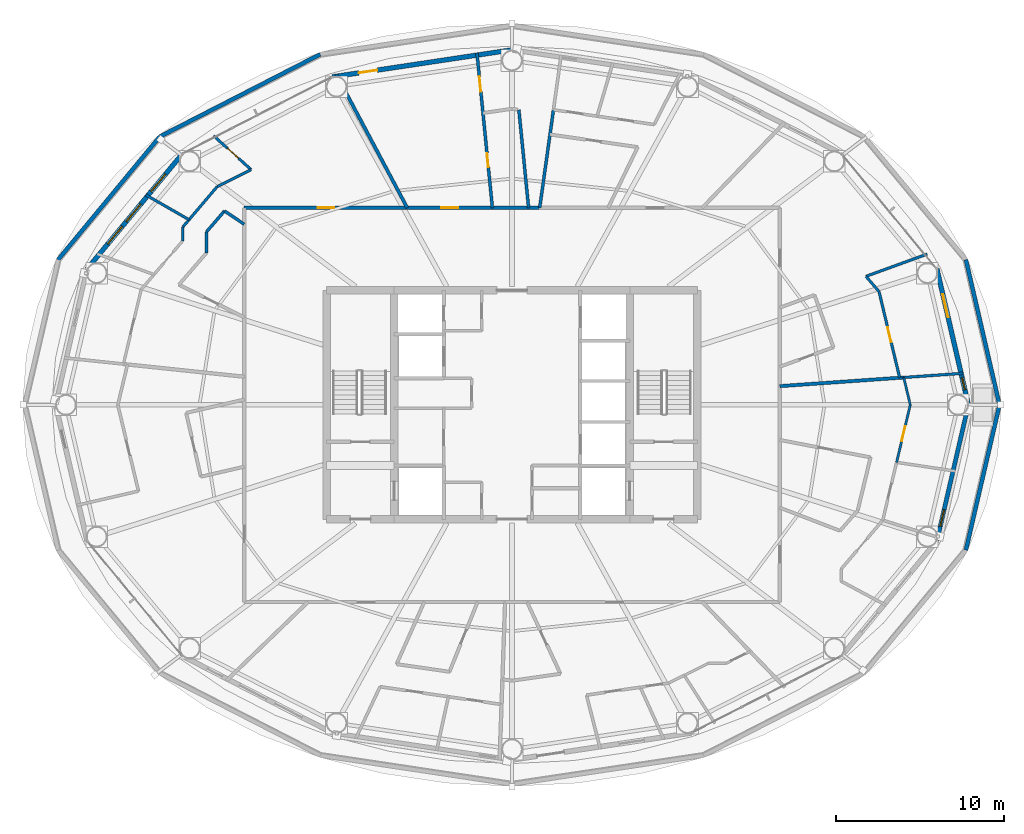
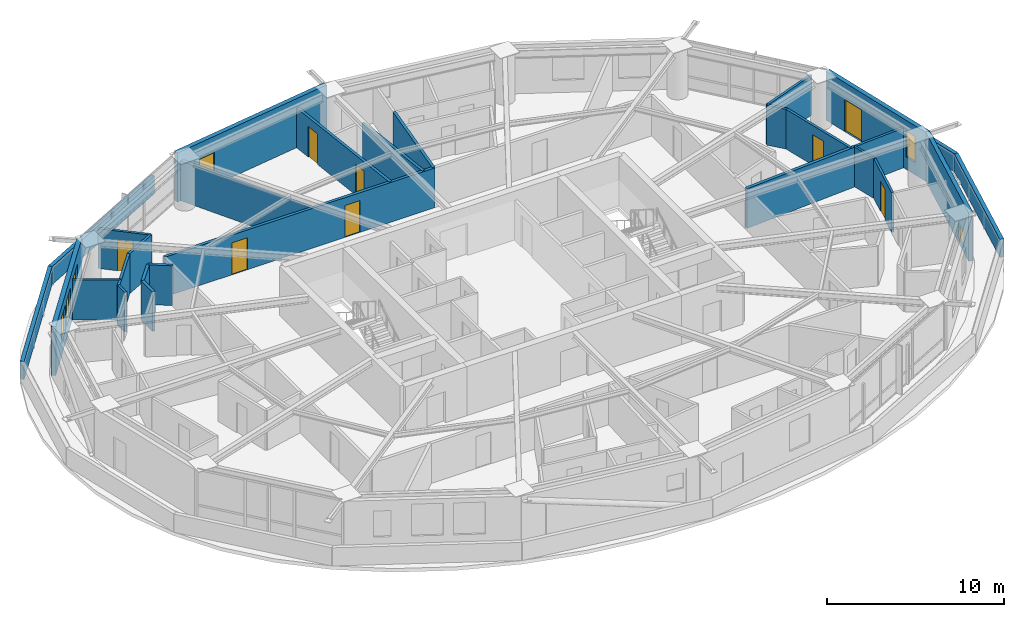
# One storey, part 23 of 27: 28 walls, 9 doors, 5 windows, 14 openings.
"""IFC4 building model written with IfcOpenShell, lengths in metres."""

from ifc_helpers import new_model, si_unit, direction, frame, frame_2d, origin, place, context, subcontext, project, spatial, rectangle, extrude, material, layer, layer_set, type_object, element, fill, save


model = new_model("IFC4")

# Units and contexts
model_context = context("Model", 3, precision=1e-05, world=origin(), true_north=direction((0.0, 1.0)))
body_context = subcontext(model_context, "Body", "Model", "MODEL_VIEW")
ifc_project = project(units=[si_unit("LENGTHUNIT", "METRE"), si_unit("AREAUNIT", "SQUARE_METRE"), si_unit("VOLUMEUNIT", "CUBIC_METRE"), si_unit("PLANEANGLEUNIT", "RADIAN"), si_unit("MASSUNIT", "GRAM", prefix="KILO")], contexts=[model_context])

# Site, building, storey
site_placement = place(None, origin())
site = spatial("IfcSite", under=ifc_project, at=site_placement, CompositionType="ELEMENT")
building_placement = place(site_placement, origin())
building = spatial("IfcBuilding", under=site, at=building_placement, Name="Sarneth Arch Tower", CompositionType="ELEMENT")
storey_placement = place(building_placement, frame((0.0, 0.0, 150.60009765625)))
storey = spatial("IfcBuildingStorey", under=building, at=storey_placement, Name="L37", CompositionType="ELEMENT", Elevation=150.60009765625)

# Wall, openings, doors
ifc_material_1 = material(Name="Double steel-stud corridor fire wall", Category="steel")
ifc_layer_1 = layer(ifc_material_1, 0.18994140625)
ifc_layer_set_1 = layer_set([ifc_layer_1], Name="Double steel-stud corridor fire wall")
wall_type_1 = type_object("IfcWallType", Name="WALL-CORR-190", PredefinedType="PARTITIONING", material=ifc_layer_set_1)
wall_1_placement = place(storey_placement, frame((32.10009765625, 53.699951171875, 0.0), z_axis=(0.0, 0.0, 1.0), x_axis=(1.0, 0.0, 0.0)))
wall_1 = element("IfcWall", 1, at=wall_1_placement, inside=storey, type_object=wall_type_1, Name="L37 Interior partition W-L37-TP-012", PredefinedType="PARTITIONING", context=body_context, shape_type="SweptSolid", body=[
    extrude(rectangle(XDim=17.576416015625, YDim=0.18994140625, at=frame_2d((8.7880859375, 0.0))), origin(), (0.0, 0.0, 1.0), 2.739990234375),
])
opening_1_placement = place(wall_1_placement, frame((4.357666015625, 0.0, 0.0)))
opening_1 = element("IfcOpeningElement", 2, at=opening_1_placement, cuts=wall_1, Name="Opening FD-08", PredefinedType="OPENING", context=body_context, shape_type="SweptSolid", body=[
    extrude(rectangle(XDim=1.0, YDim=2.199951171875, at=frame_2d((0.5, 1.10009765625))), frame((0.0, 0.10498046875, 0.0), z_axis=(0.0, -1.0, 0.0), x_axis=(1.0, 0.0, 0.0)), (0.0, 0.0, 1.0), 0.2099609375),
])
opening_2_placement = place(wall_1_placement, frame((11.70556640625, 0.0, 0.0)))
opening_2 = element("IfcOpeningElement", 3, at=opening_2_placement, cuts=wall_1, Name="Opening FD-08", PredefinedType="OPENING", context=body_context, shape_type="SweptSolid", body=[
    extrude(rectangle(XDim=1.0, YDim=2.199951171875, at=frame_2d((0.5, 1.10009765625))), frame((0.0, 0.10498046875, 0.0), z_axis=(0.0, -1.0, 0.0), x_axis=(1.0, 0.0, 0.0)), (0.0, 0.0, 1.0), 0.2099609375),
])
ifc_material_2 = material(Name="Hardwood timber acoustic fire door", Category="wood")
door_type_1 = type_object("IfcDoorType", Name="DR-FD60-1000", OperationType="SINGLE_SWING_LEFT", PredefinedType="DOOR", material=ifc_material_2)
door_1_placement = place(opening_1_placement, origin())
door_1 = element("IfcDoor", 4, at=door_1_placement, inside=storey, type_object=door_type_1, Name="L37 Interior door DR-L37-U4-ENT", OperationType="SINGLE_SWING_RIGHT", OverallHeight=2.199951171875, OverallWidth=1.0, PredefinedType="DOOR", context=body_context, shape_type="SweptSolid", body=[
    extrude(rectangle(XDim=1.0, YDim=2.199951171875, at=frame_2d((0.5, 1.10009765625))), frame((0.0, 0.02490234375, 0.0), z_axis=(0.0, -1.0, 0.0), x_axis=(1.0, 0.0, 0.0)), (0.0, 0.0, 1.0), 0.050048828125),
])
fill(opening_1, door_1)
door_2_placement = place(opening_2_placement, origin())
door_2 = element("IfcDoor", 5, at=door_2_placement, inside=storey, type_object=door_type_1, Name="L37 Interior door DR-L37-U3-ENT", OperationType="SINGLE_SWING_LEFT", OverallHeight=2.199951171875, OverallWidth=1.0, PredefinedType="DOOR", context=body_context, shape_type="SweptSolid", body=[
    extrude(rectangle(XDim=1.0, YDim=2.199951171875, at=frame_2d((0.5, 1.10009765625))), frame((0.0, 0.02490234375, 0.0), z_axis=(0.0, -1.0, 0.0), x_axis=(1.0, 0.0, 0.0)), (0.0, 0.0, 1.0), 0.050048828125),
])
fill(opening_2, door_2)

# Wall, opening, window
ifc_material_3 = material(Name="Extruded terracotta rainscreen on Concrete C40/50 backing", Category="masonry")
ifc_layer_2 = layer(ifc_material_3, 0.25)
ifc_layer_set_2 = layer_set([ifc_layer_2], Name="Extruded terracotta rainscreen on Concrete C40/50 backing")
wall_type_2 = type_object("IfcWallType", Name="WALL-EXT-SPAND-250", PredefinedType="SOLIDWALL", material=ifc_layer_set_2)
wall_2_placement = place(storey_placement, frame((73.232421875, 33.93310546875, 0.0), z_axis=(0.0, 0.0, 1.0), x_axis=(0.225473184558, 0.974249374157, 0.0)))
wall_2 = element("IfcWall", 6, at=wall_2_placement, inside=storey, type_object=wall_type_2, Name="L37 Terracotta perimeter wall 16", PredefinedType="SOLIDWALL", context=body_context, shape_type="SweptSolid", body=[
    extrude(rectangle(XDim=8.280029296875, YDim=0.25, at=frame_2d((4.14013671875, 0.0))), origin(), (0.0, 0.0, 1.0), 3.3798828125),
])
opening_3_placement = place(wall_2_placement, frame((0.88623046875, 0.0, 0.35009765625)))
opening_3 = element("IfcOpeningElement", 7, at=opening_3_placement, cuts=wall_2, Name="Opening W-14", PredefinedType="OPENING", context=body_context, shape_type="SweptSolid", body=[
    extrude(rectangle(XDim=1.0, YDim=1.050048828125, at=frame_2d((0.5, 0.52490234375))), frame((0.0, 0.135009765625, 0.0), z_axis=(0.0, -1.0, 0.0), x_axis=(1.0, 0.0, 0.0)), (0.0, 0.0, 1.0), 0.27001953125),
])
ifc_material_4 = material(Name="Thermally broken Aluminium 6063-T6 and low-e laminated IGU", Category="aluminium")
window_type_1 = type_object("IfcWindowType", Name="WIN-TWR-1000x1050", PartitioningType="SINGLE_PANEL", PredefinedType="WINDOW", material=ifc_material_4)
window_1_placement = place(opening_3_placement, origin())
window_1 = element("IfcWindow", 8, at=window_1_placement, inside=storey, type_object=window_type_1, Name="L37 Dwelling bedroom window 04", OverallHeight=1.050048828125, OverallWidth=1.0, PartitioningType="SINGLE_PANEL", PredefinedType="WINDOW", context=body_context, shape_type="SweptSolid", body=[
    extrude(rectangle(XDim=1.0, YDim=1.050048828125, at=frame_2d((0.5, 0.52490234375))), frame((0.0, 0.030029296875, 0.0), z_axis=(0.0, -1.0, 0.0), x_axis=(1.0, 0.0, 0.0)), (0.0, 0.0, 1.0), 0.06005859375),
])
fill(opening_3, window_1)

# Wall, openings, door, window
ifc_material_5 = material(Name="Extruded terracotta rainscreen on Concrete C40/50 backing", Category="masonry")
ifc_layer_3 = layer(ifc_material_5, 0.280029296875)
ifc_layer_set_3 = layer_set([ifc_layer_3], Name="Extruded terracotta rainscreen on Concrete C40/50 backing")
wall_type_3 = type_object("IfcWallType", Name="WALL-EXT-TERRA-280", PredefinedType="SOLIDWALL", material=ifc_layer_set_3)
wall_3_placement = place(storey_placement, frame((75.099365234375, 42.0, 0.0), z_axis=(0.0, 0.0, 1.0), x_axis=(-0.225473184558, 0.974249374157, 0.0)))
wall_3 = element("IfcWall", 9, at=wall_3_placement, inside=storey, type_object=wall_type_3, Name="L37 Terracotta perimeter wall 01", PredefinedType="SOLIDWALL", context=body_context, shape_type="SweptSolid", body=[
    extrude(rectangle(XDim=8.280029296875, YDim=0.280029296875, at=frame_2d((4.14013671875, 0.0))), origin(), (0.0, 0.0, 1.0), 3.3798828125),
])
opening_4_placement = place(wall_3_placement, frame((5.343994140625, 0.0, 0.0)))
opening_4 = element("IfcOpeningElement", 10, at=opening_4_placement, cuts=wall_3, Name="Opening BD-2", PredefinedType="OPENING", context=body_context, shape_type="SweptSolid", body=[
    extrude(rectangle(XDim=1.39990234375, YDim=2.199951171875, at=frame_2d((0.699951171875, 1.10009765625))), frame((0.0, 0.14990234375, 0.0), z_axis=(0.0, -1.0, 0.0), x_axis=(1.0, 0.0, 0.0)), (0.0, 0.0, 1.0), 0.300048828125),
])
opening_5_placement = place(wall_3_placement, frame((0.918212890625, 0.0, 0.85009765625)))
opening_5 = element("IfcOpeningElement", 11, at=opening_5_placement, cuts=wall_3, Name="Opening W-13", PredefinedType="OPENING", context=body_context, shape_type="SweptSolid", body=[
    extrude(rectangle(XDim=0.75, YDim=1.800048828125, at=frame_2d((0.375, 0.89990234375))), frame((0.0, 0.14990234375, 0.0), z_axis=(0.0, -1.0, 0.0), x_axis=(1.0, 0.0, 0.0)), (0.0, 0.0, 1.0), 0.300048828125),
])
ifc_material_6 = material(Name="Thermally broken Aluminium 6063-T6 and laminated safety glass", Category="aluminium")
door_type_2 = type_object("IfcDoorType", Name="DR-BALC-GLZ-1400", OperationType="SINGLE_SWING_LEFT", PredefinedType="DOOR", material=ifc_material_6)
door_3_placement = place(opening_4_placement, origin())
door_3 = element("IfcDoor", 12, at=door_3_placement, inside=storey, type_object=door_type_2, Name="L37 Maintenance roof access door 01", OperationType="SINGLE_SWING_LEFT", OverallHeight=2.199951171875, OverallWidth=1.39990234375, PredefinedType="DOOR", context=body_context, shape_type="SweptSolid", body=[
    extrude(rectangle(XDim=1.39990234375, YDim=2.199951171875, at=frame_2d((0.699951171875, 1.10009765625))), frame((0.0, 0.02490234375, 0.0), z_axis=(0.0, -1.0, 0.0), x_axis=(1.0, 0.0, 0.0)), (0.0, 0.0, 1.0), 0.050048828125),
])
fill(opening_4, door_3)
ifc_material_7 = material(Name="Thermally broken Aluminium 6063-T6 and low-e laminated IGU", Category="aluminium")
window_type_2 = type_object("IfcWindowType", Name="WIN-TWR-750x1800", PartitioningType="SINGLE_PANEL", PredefinedType="WINDOW", material=ifc_material_7)
window_2_placement = place(opening_5_placement, origin())
window_2 = element("IfcWindow", 13, at=window_2_placement, inside=storey, type_object=window_type_2, Name="L37 Dwelling bedroom window 05", OverallHeight=1.800048828125, OverallWidth=0.75, PartitioningType="SINGLE_PANEL", PredefinedType="WINDOW", context=body_context, shape_type="SweptSolid", body=[
    extrude(rectangle(XDim=0.75, YDim=1.800048828125, at=frame_2d((0.375, 0.89990234375))), frame((0.0, 0.030029296875, 0.0), z_axis=(0.0, -1.0, 0.0), x_axis=(1.0, 0.0, 0.0)), (0.0, 0.0, 1.0), 0.06005859375),
])
fill(opening_5, window_2)

# Wall, opening, door
wall_4_placement = place(storey_placement, frame((48.0, 63.080078125, 0.0), z_axis=(0.0, 0.0, 1.0), x_axis=(-0.988863993413, -0.148822049884, 0.0)))
wall_4 = element("IfcWall", 14, at=wall_4_placement, inside=storey, type_object=wall_type_3, Name="L37 Terracotta perimeter wall 05", PredefinedType="SOLIDWALL", context=body_context, shape_type="SweptSolid", body=[
    extrude(rectangle(XDim=10.782958984375, YDim=0.280029296875, at=frame_2d((5.3916015625, 0.0))), origin(), (0.0, 0.0, 1.0), 3.3798828125),
])
opening_6_placement = place(wall_4_placement, frame((8.101318359375, 0.0, 0.0)))
opening_6 = element("IfcOpeningElement", 15, at=opening_6_placement, cuts=wall_4, Name="Opening BD-3", PredefinedType="OPENING", context=body_context, shape_type="SweptSolid", body=[
    extrude(rectangle(XDim=1.10009765625, YDim=2.25, at=frame_2d((0.550048828125, 1.125))), frame((0.0, 0.14990234375, 0.0), z_axis=(0.0, -1.0, 0.0), x_axis=(1.0, 0.0, 0.0)), (0.0, 0.0, 1.0), 0.300048828125),
])
ifc_material_8 = material(Name="Thermally broken Aluminium 6063-T6 and laminated safety glass", Category="aluminium")
door_type_3 = type_object("IfcDoorType", Name="DR-BALC-GLZ-1100", OperationType="SINGLE_SWING_LEFT", PredefinedType="DOOR", material=ifc_material_8)
door_4_placement = place(opening_6_placement, origin())
door_4 = element("IfcDoor", 16, at=door_4_placement, inside=storey, type_object=door_type_3, Name="L37 Maintenance roof access door 05", OperationType="SINGLE_SWING_LEFT", OverallHeight=2.25, OverallWidth=1.10009765625, PredefinedType="DOOR", context=body_context, shape_type="SweptSolid", body=[
    extrude(rectangle(XDim=1.10009765625, YDim=2.25, at=frame_2d((0.550048828125, 1.125))), frame((0.0, 0.02490234375, 0.0), z_axis=(0.0, -1.0, 0.0), x_axis=(1.0, 0.0, 0.0)), (0.0, 0.0, 1.0), 0.050048828125),
])
fill(opening_6, door_4)

# Wall, openings, windows
wall_5_placement = place(storey_placement, frame((28.423828125, 56.90576171875, 0.0), z_axis=(0.0, 0.0, 1.0), x_axis=(-0.637333477683, -0.770588111915, 0.0)))
wall_5 = element("IfcWall", 17, at=wall_5_placement, inside=storey, type_object=wall_type_3, Name="L37 Terracotta perimeter wall 07", PredefinedType="SOLIDWALL", context=body_context, shape_type="SweptSolid", body=[
    extrude(rectangle(XDim=8.874755859375, YDim=0.280029296875, at=frame_2d((4.4375, 0.0))), origin(), (0.0, 0.0, 1.0), 3.3798828125),
])
opening_7_placement = place(wall_5_placement, frame((1.560791015625, 0.0, 0.85009765625)))
opening_7 = element("IfcOpeningElement", 18, at=opening_7_placement, cuts=wall_5, Name="Opening W-08", PredefinedType="OPENING", context=body_context, shape_type="SweptSolid", body=[
    extrude(rectangle(XDim=1.35009765625, YDim=1.800048828125, at=frame_2d((0.675048828125, 0.89990234375))), frame((0.0, 0.14990234375, 0.0), z_axis=(0.0, -1.0, 0.0), x_axis=(1.0, 0.0, 0.0)), (0.0, 0.0, 1.0), 0.300048828125),
])
opening_8_placement = place(wall_5_placement, frame((3.872802734375, 0.0, 0.85009765625)))
opening_8 = element("IfcOpeningElement", 19, at=opening_8_placement, cuts=wall_5, Name="Opening W-08", PredefinedType="OPENING", context=body_context, shape_type="SweptSolid", body=[
    extrude(rectangle(XDim=1.35009765625, YDim=1.800048828125, at=frame_2d((0.675048828125, 0.89990234375))), frame((0.0, 0.14990234375, 0.0), z_axis=(0.0, -1.0, 0.0), x_axis=(1.0, 0.0, 0.0)), (0.0, 0.0, 1.0), 0.300048828125),
])
opening_9_placement = place(wall_5_placement, frame((5.5849609375, 0.0, 0.85009765625)))
opening_9 = element("IfcOpeningElement", 20, at=opening_9_placement, cuts=wall_5, Name="Opening W-08", PredefinedType="OPENING", context=body_context, shape_type="SweptSolid", body=[
    extrude(rectangle(XDim=1.35009765625, YDim=1.800048828125, at=frame_2d((0.675048828125, 0.89990234375))), frame((0.0, 0.14990234375, 0.0), z_axis=(0.0, -1.0, 0.0), x_axis=(1.0, 0.0, 0.0)), (0.0, 0.0, 1.0), 0.300048828125),
])
ifc_material_9 = material(Name="Thermally broken Aluminium 6063-T6 and low-e laminated IGU", Category="aluminium")
window_type_3 = type_object("IfcWindowType", Name="WIN-TWR-1350x1800", PartitioningType="SINGLE_PANEL", PredefinedType="WINDOW", material=ifc_material_9)
window_3_placement = place(opening_7_placement, origin())
window_3 = element("IfcWindow", 21, at=window_3_placement, inside=storey, type_object=window_type_3, Name="L37 Exterior window 07A", OverallHeight=1.800048828125, OverallWidth=1.35009765625, PartitioningType="SINGLE_PANEL", PredefinedType="WINDOW", context=body_context, shape_type="SweptSolid", body=[
    extrude(rectangle(XDim=1.35009765625, YDim=1.800048828125, at=frame_2d((0.675048828125, 0.89990234375))), frame((0.0, 0.030029296875, 0.0), z_axis=(0.0, -1.0, 0.0), x_axis=(1.0, 0.0, 0.0)), (0.0, 0.0, 1.0), 0.06005859375),
])
fill(opening_7, window_3)
window_4_placement = place(opening_8_placement, origin())
window_4 = element("IfcWindow", 22, at=window_4_placement, inside=storey, type_object=window_type_3, Name="L37 Exterior window 07B", OverallHeight=1.800048828125, OverallWidth=1.35009765625, PartitioningType="SINGLE_PANEL", PredefinedType="WINDOW", context=body_context, shape_type="SweptSolid", body=[
    extrude(rectangle(XDim=1.35009765625, YDim=1.800048828125, at=frame_2d((0.675048828125, 0.89990234375))), frame((0.0, 0.030029296875, 0.0), z_axis=(0.0, -1.0, 0.0), x_axis=(1.0, 0.0, 0.0)), (0.0, 0.0, 1.0), 0.06005859375),
])
fill(opening_8, window_4)
window_5_placement = place(opening_9_placement, origin())
window_5 = element("IfcWindow", 23, at=window_5_placement, inside=storey, type_object=window_type_3, Name="L37 Exterior window 07C", OverallHeight=1.800048828125, OverallWidth=1.35009765625, PartitioningType="SINGLE_PANEL", PredefinedType="WINDOW", context=body_context, shape_type="SweptSolid", body=[
    extrude(rectangle(XDim=1.35009765625, YDim=1.800048828125, at=frame_2d((0.675048828125, 0.89990234375))), frame((0.0, 0.030029296875, 0.0), z_axis=(0.0, -1.0, 0.0), x_axis=(1.0, 0.0, 0.0)), (0.0, 0.0, 1.0), 0.06005859375),
])
fill(opening_9, window_5)

# Walls
ifc_material_10 = material(Name="Extruded terracotta rainscreen on Concrete C40/50 backing", Category="masonry")
ifc_layer_4 = layer(ifc_material_10, 0.239990234375)
ifc_layer_set_4 = layer_set([ifc_layer_4], Name="Extruded terracotta rainscreen on Concrete C40/50 backing")
wall_type_4 = type_object("IfcWallType", Name="WALL-PARAPET-240", PredefinedType="PARAPET", material=ifc_layer_set_4)
wall_6_placement = place(storey_placement, frame((76.946044921875, 42.0, 0.0), z_axis=(0.0, 0.0, 1.0), x_axis=(-0.225341034137, 0.974279948646, 0.0)))
element("IfcWall", 24, at=wall_6_placement, inside=storey, type_object=wall_type_4, Name="L37 Setback roof parapet 01", PredefinedType="PARAPET", context=body_context, shape_type="SweptSolid", body=[
    extrude(rectangle(XDim=8.849365234375, YDim=0.239990234375, at=frame_2d((4.4248046875, 0.0))), origin(), (0.0, 0.0, 1.0), 1.25),
])
wall_7_placement = place(storey_placement, frame((36.610595703125, 62.81494140625, 0.0), z_axis=(0.0, 0.0, 1.0), x_axis=(-0.8897661473, -0.456416698992, 0.0)))
element("IfcWall", 25, at=wall_7_placement, inside=storey, type_object=wall_type_4, Name="L37 Setback roof parapet 06", PredefinedType="PARAPET", context=body_context, shape_type="SweptSolid", body=[
    extrude(rectangle(XDim=10.7001953125, YDim=0.239990234375, at=frame_2d((5.35009765625, 0.0))), origin(), (0.0, 0.0, 1.0), 1.25),
])
wall_8_placement = place(storey_placement, frame((27.08984375, 57.93115234375, 0.0), z_axis=(0.0, 0.0, 1.0), x_axis=(-0.637107627078, -0.770774851379, 0.0)))
element("IfcWall", 26, at=wall_8_placement, inside=storey, type_object=wall_type_4, Name="L37 Setback roof parapet 07", PredefinedType="PARAPET", context=body_context, shape_type="SweptSolid", body=[
    extrude(rectangle(XDim=9.483154296875, YDim=0.239990234375, at=frame_2d((4.74169921875, 0.0))), origin(), (0.0, 0.0, 1.0), 1.25),
])
wall_9_placement = place(storey_placement, frame((74.951904296875, 33.378173828125, 0.0), z_axis=(0.0, 0.0, 1.0), x_axis=(0.225341034137, 0.974279948646, 0.0)))
element("IfcWall", 27, at=wall_9_placement, inside=storey, type_object=wall_type_4, Name="L37 Setback roof parapet 16", PredefinedType="PARAPET", context=body_context, shape_type="SweptSolid", body=[
    extrude(rectangle(XDim=8.849365234375, YDim=0.239990234375, at=frame_2d((4.4248046875, 0.0))), origin(), (0.0, 0.0, 1.0), 1.25),
])

# Wall, opening, door
ifc_material_11 = material(Name="Apartment internal stud partition", Category="gypsum")
ifc_layer_5 = layer(ifc_material_11, 0.139892578125)
ifc_layer_set_5 = layer_set([ifc_layer_5], Name="Apartment internal stud partition")
wall_type_5 = type_object("IfcWallType", Name="WALL-PART-140", PredefinedType="PARTITIONING", material=ifc_layer_set_5)
wall_10_placement = place(storey_placement, frame((70.836181640625, 38.587158203125, 0.0), z_axis=(0.0, 0.0, 1.0), x_axis=(0.231598574747, 0.972811441223, 0.0)))
wall_10 = element("IfcWall", 28, at=wall_10_placement, inside=storey, type_object=wall_type_5, Name="L37 Interior partition W-L37-TP-109", PredefinedType="PARTITIONING", context=body_context, shape_type="SweptSolid", body=[
    extrude(rectangle(XDim=3.50830078125, YDim=0.139892578125, at=frame_2d((1.754150390625, 0.0))), origin(), (0.0, 0.0, 1.0), 2.739990234375),
])
opening_10_placement = place(wall_10_placement, frame((1.30419921875, 0.0, 0.0)))
opening_10 = element("IfcOpeningElement", 29, at=opening_10_placement, cuts=wall_10, Name="Opening ID-01", PredefinedType="OPENING", context=body_context, shape_type="SweptSolid", body=[
    extrude(rectangle(XDim=0.89990234375, YDim=2.10009765625, at=frame_2d((0.449951171875, 1.050048828125))), frame((0.0, 0.079833984375, 0.0), z_axis=(0.0, -1.0, 0.0), x_axis=(1.0, 0.0, 0.0)), (0.0, 0.0, 1.0), 0.159912109375),
])
ifc_material_12 = material(Name="Engineered hardwood flush door", Category="wood")
door_type_4 = type_object("IfcDoorType", Name="DR-INT-900", OperationType="SINGLE_SWING_LEFT", PredefinedType="DOOR", material=ifc_material_12)
door_5_placement = place(opening_10_placement, origin())
door_5 = element("IfcDoor", 30, at=door_5_placement, inside=storey, type_object=door_type_4, Name="L37 Interior door DR-L37-U8-BED2", OperationType="SINGLE_SWING_LEFT", OverallHeight=2.10009765625, OverallWidth=0.89990234375, PredefinedType="DOOR", context=body_context, shape_type="SweptSolid", body=[
    extrude(rectangle(XDim=0.89990234375, YDim=2.10009765625, at=frame_2d((0.449951171875, 1.050048828125))), frame((0.0, 0.02490234375, 0.0), z_axis=(0.0, -1.0, 0.0), x_axis=(1.0, 0.0, 0.0)), (0.0, 0.0, 1.0), 0.050048828125),
])
fill(opening_10, door_5)

# Walls
wall_11_placement = place(storey_placement, frame((71.648681640625, 42.0, 0.0), z_axis=(0.0, 0.0, 1.0), x_axis=(-0.231561310927, 0.972820311919, 0.0)))
element("IfcWall", 31, at=wall_11_placement, inside=storey, type_object=wall_type_5, Name="L37 Interior partition W-L37-TP-110", PredefinedType="PARTITIONING", context=body_context, shape_type="SweptSolid", body=[
    extrude(rectangle(XDim=1.672119140625, YDim=0.139892578125, at=frame_2d((0.8359375, 0.0))), origin(), (0.0, 0.0, 1.0), 2.739990234375),
])
ifc_material_13 = material(Name="Acoustic gypsum stud partition", Category="gypsum")
ifc_layer_6 = layer(ifc_material_13, 0.14990234375)
ifc_layer_set_6 = layer_set([ifc_layer_6], Name="Acoustic gypsum stud partition")
wall_type_6 = type_object("IfcWallType", Name="WALL-PART-150", PredefinedType="PARTITIONING", material=ifc_layer_set_6)
wall_12_placement = place(storey_placement, frame((28.449951171875, 52.556640625, 0.0), z_axis=(0.0, 0.0, 1.0), x_axis=(0.0, -1.0, 0.0)))
element("IfcWall", 32, at=wall_12_placement, inside=storey, type_object=wall_type_6, Name="L37 Interior partition W-L37-TP-061", PredefinedType="PARTITIONING", context=body_context, shape_type="SweptSolid", body=[
    extrude(rectangle(XDim=0.812255859375, YDim=0.14990234375, at=frame_2d((0.40625, 0.0))), origin(), (0.0, 0.0, 1.0), 2.739990234375),
])

# Wall, opening, door
ifc_material_14 = material(Name="Kitchen wet service chase wall", Category="gypsum")
ifc_layer_7 = layer(ifc_material_14, 0.159912109375)
ifc_layer_set_7 = layer_set([ifc_layer_7], Name="Kitchen wet service chase wall")
wall_type_7 = type_object("IfcWallType", Name="WALL-PLUMB-160", PredefinedType="PLUMBINGWALL", material=ifc_layer_set_7)
wall_13_placement = place(storey_placement, frame((69.793212890625, 48.7275390625, 0.0), z_axis=(0.0, 0.0, 1.0), x_axis=(0.23310450522, -0.972451690135, 0.0)))
wall_13 = element("IfcWall", 33, at=wall_13_placement, inside=storey, type_object=wall_type_7, Name="L37 Interior partition W-L37-TP-032", PredefinedType="PLUMBINGWALL", context=body_context, shape_type="SweptSolid", body=[
    extrude(rectangle(XDim=5.262939453125, YDim=0.159912109375, at=frame_2d((2.63134765625, 0.0))), origin(), (0.0, 0.0, 1.0), 2.739990234375),
])
opening_11_placement = place(wall_13_placement, frame((2.181396484375, 0.0, 0.0)))
opening_11 = element("IfcOpeningElement", 34, at=opening_11_placement, cuts=wall_13, Name="Opening ID-01", PredefinedType="OPENING", context=body_context, shape_type="SweptSolid", body=[
    extrude(rectangle(XDim=0.89990234375, YDim=2.10009765625, at=frame_2d((0.449951171875, 1.050048828125))), frame((0.0, 0.08984375, 0.0), z_axis=(0.0, -1.0, 0.0), x_axis=(1.0, 0.0, 0.0)), (0.0, 0.0, 1.0), 0.179931640625),
])
door_6_placement = place(opening_11_placement, origin())
door_6 = element("IfcDoor", 35, at=door_6_placement, inside=storey, type_object=door_type_4, Name="L37 Interior door DR-L37-U1-KIT", OperationType="SINGLE_SWING_RIGHT", OverallHeight=2.10009765625, OverallWidth=0.89990234375, PredefinedType="DOOR", context=body_context, shape_type="SweptSolid", body=[
    extrude(rectangle(XDim=0.89990234375, YDim=2.10009765625, at=frame_2d((0.449951171875, 1.050048828125))), frame((0.0, 0.02490234375, 0.0), z_axis=(0.0, -1.0, 0.0), x_axis=(1.0, 0.0, 0.0)), (0.0, 0.0, 1.0), 0.050048828125),
])
fill(opening_11, door_6)

# Walls
wall_14_placement = place(storey_placement, frame((72.6474609375, 50.951416015625, 0.0), z_axis=(0.0, 0.0, 1.0), x_axis=(-0.939926248806, -0.341377572206, 0.0)))
element("IfcWall", 36, at=wall_14_placement, inside=storey, type_object=wall_type_7, Name="L37 Interior partition W-L37-TP-030", PredefinedType="PLUMBINGWALL", context=body_context, shape_type="SweptSolid", body=[
    extrude(rectangle(XDim=3.86181640625, YDim=0.159912109375, at=frame_2d((1.930908203125, 0.0))), origin(), (0.0, 0.0, 1.0), 2.739990234375),
])
wall_15_placement = place(storey_placement, frame((71.261474609375, 43.626708984375, 0.0), z_axis=(0.0, 0.0, 1.0), x_axis=(0.997563824095, 0.069759707979, 0.0)))
element("IfcWall", 37, at=wall_15_placement, inside=storey, type_object=wall_type_7, Name="L37 Interior partition W-L37-TP-036", PredefinedType="PLUMBINGWALL", context=body_context, shape_type="SweptSolid", body=[
    extrude(rectangle(XDim=3.53466796875, YDim=0.159912109375, at=frame_2d((1.767333984375, 0.0))), origin(), (0.0, 0.0, 1.0), 2.739990234375),
])

# Wall, opening, door
wall_16_placement = place(storey_placement, frame((32.51171875, 55.966552734375, 0.0), z_axis=(0.0, 0.0, 1.0), x_axis=(-0.74263222061, 0.669699473579, 0.0)))
wall_16 = element("IfcWall", 38, at=wall_16_placement, inside=storey, type_object=wall_type_7, Name="L37 Interior partition W-L37-TP-054", PredefinedType="PLUMBINGWALL", context=body_context, shape_type="SweptSolid", body=[
    extrude(rectangle(XDim=3.00927734375, YDim=0.159912109375, at=frame_2d((1.504638671875, 0.0))), origin(), (0.0, 0.0, 1.0), 2.739990234375),
])
opening_12_placement = place(wall_16_placement, frame((0.99462890625, 0.0, 0.0)))
opening_12 = element("IfcOpeningElement", 39, at=opening_12_placement, cuts=wall_16, Name="Opening ID-01", PredefinedType="OPENING", context=body_context, shape_type="SweptSolid", body=[
    extrude(rectangle(XDim=0.89990234375, YDim=2.10009765625, at=frame_2d((0.449951171875, 1.050048828125))), frame((0.0, 0.08984375, 0.0), z_axis=(0.0, -1.0, 0.0), x_axis=(1.0, 0.0, 0.0)), (0.0, 0.0, 1.0), 0.179931640625),
])
door_7_placement = place(opening_12_placement, origin())
door_7 = element("IfcDoor", 40, at=door_7_placement, inside=storey, type_object=door_type_4, Name="L37 Interior door DR-L37-U4-KIT", OperationType="SINGLE_SWING_RIGHT", OverallHeight=2.10009765625, OverallWidth=0.89990234375, PredefinedType="DOOR", context=body_context, shape_type="SweptSolid", body=[
    extrude(rectangle(XDim=0.89990234375, YDim=2.10009765625, at=frame_2d((0.449951171875, 1.050048828125))), frame((0.0, 0.02490234375, 0.0), z_axis=(0.0, -1.0, 0.0), x_axis=(1.0, 0.0, 0.0)), (0.0, 0.0, 1.0), 0.050048828125),
])
fill(opening_12, door_7)

# Walls
wall_17_placement = place(storey_placement, frame((26.254638671875, 54.46875, 0.0), z_axis=(0.0, 0.0, 1.0), x_axis=(0.867481094493, -0.497470150558, 0.0)))
element("IfcWall", 41, at=wall_17_placement, inside=storey, type_object=wall_type_7, Name="L37 Interior partition W-L37-TP-067", PredefinedType="PLUMBINGWALL", context=body_context, shape_type="SweptSolid", body=[
    extrude(rectangle(XDim=2.961181640625, YDim=0.159912109375, at=frame_2d((1.48046875, 0.0))), origin(), (0.0, 0.0, 1.0), 2.739990234375),
])
wall_18_placement = place(storey_placement, frame((28.449951171875, 52.556640625, 0.0), z_axis=(0.0, 0.0, 1.0), x_axis=(0.647888606369, 0.761735094201, 0.0)))
element("IfcWall", 42, at=wall_18_placement, inside=storey, type_object=wall_type_7, Name="L37 Interior partition W-L37-TP-052", PredefinedType="PLUMBINGWALL", context=body_context, shape_type="SweptSolid", body=[
    extrude(rectangle(XDim=3.15673828125, YDim=0.159912109375, at=frame_2d((1.578369140625, 0.0))), origin(), (0.0, 0.0, 1.0), 2.739990234375),
])
wall_19_placement = place(storey_placement, frame((30.4951171875, 54.961181640625, 0.0), z_axis=(0.0, 0.0, 1.0), x_axis=(0.894946652065, 0.446173161405, 0.0)))
element("IfcWall", 43, at=wall_19_placement, inside=storey, type_object=wall_type_7, Name="L37 Interior partition W-L37-TP-053", PredefinedType="PLUMBINGWALL", context=body_context, shape_type="SweptSolid", body=[
    extrude(rectangle(XDim=2.25341796875, YDim=0.159912109375, at=frame_2d((1.126708984375, 0.0))), origin(), (0.0, 0.0, 1.0), 2.739990234375),
])
wall_20_placement = place(storey_placement, frame((69.017578125, 49.633056640625, 0.0), z_axis=(0.0, 0.0, 1.0), x_axis=(0.650538392346, -0.759473370227, 0.0)))
element("IfcWall", 44, at=wall_20_placement, inside=storey, type_object=wall_type_7, Name="L37 Interior partition W-L37-TP-031", PredefinedType="PLUMBINGWALL", context=body_context, shape_type="SweptSolid", body=[
    extrude(rectangle(XDim=1.1923828125, YDim=0.159912109375, at=frame_2d((0.59619140625, 0.0))), origin(), (0.0, 0.0, 1.0), 2.739990234375),
])
ifc_material_15 = material(Name="Moisture-resistant plumbing chase wall", Category="gypsum")
ifc_layer_8 = layer(ifc_material_15, 0.179931640625)
ifc_layer_set_8 = layer_set([ifc_layer_8], Name="Moisture-resistant plumbing chase wall")
wall_type_8 = type_object("IfcWallType", Name="WALL-PLUMB-180", PredefinedType="PLUMBINGWALL", material=ifc_layer_set_8)
wall_21_placement = place(storey_placement, frame((48.407470703125, 59.520751953125, 0.0), z_axis=(0.0, 0.0, 1.0), x_axis=(0.098958231484, -0.995091587956, 0.0)))
element("IfcWall", 45, at=wall_21_placement, inside=storey, type_object=wall_type_8, Name="L37 Interior partition W-L37-TP-051", PredefinedType="PLUMBINGWALL", context=body_context, shape_type="SweptSolid", body=[
    extrude(rectangle(XDim=5.849609375, YDim=0.179931640625, at=frame_2d((2.9248046875, 0.0))), origin(), (0.0, 0.0, 1.0), 2.739990234375),
])

# Wall, openings, doors
wall_22_placement = place(storey_placement, frame((45.92236328125, 62.888427734375, 0.0), z_axis=(0.0, 0.0, 1.0), x_axis=(0.098964435759, -0.995090970944, 0.0)))
wall_22 = element("IfcWall", 46, at=wall_22_placement, inside=storey, type_object=wall_type_8, Name="L37 Interior partition W-L37-TP-046", PredefinedType="PLUMBINGWALL", context=body_context, shape_type="SweptSolid", body=[
    extrude(rectangle(XDim=9.23388671875, YDim=0.179931640625, at=frame_2d((4.616943359375, 0.0))), origin(), (0.0, 0.0, 1.0), 2.739990234375),
])
opening_13_placement = place(wall_22_placement, frame((5.964111328125, 0.0, 0.0)))
opening_13 = element("IfcOpeningElement", 47, at=opening_13_placement, cuts=wall_22, Name="Opening ID-02", PredefinedType="OPENING", context=body_context, shape_type="SweptSolid", body=[
    extrude(rectangle(XDim=0.85009765625, YDim=2.10009765625, at=frame_2d((0.425048828125, 1.050048828125))), frame((0.0, 0.099853515625, 0.0), z_axis=(0.0, -1.0, 0.0), x_axis=(1.0, 0.0, 0.0)), (0.0, 0.0, 1.0), 0.199951171875),
])
opening_14_placement = place(wall_22_placement, frame((1.398193359375, 0.0, 0.0)))
opening_14 = element("IfcOpeningElement", 48, at=opening_14_placement, cuts=wall_22, Name="Opening ID-01", PredefinedType="OPENING", context=body_context, shape_type="SweptSolid", body=[
    extrude(rectangle(XDim=0.89990234375, YDim=2.10009765625, at=frame_2d((0.449951171875, 1.050048828125))), frame((0.0, 0.099853515625, 0.0), z_axis=(0.0, -1.0, 0.0), x_axis=(1.0, 0.0, 0.0)), (0.0, 0.0, 1.0), 0.199951171875),
])
ifc_material_16 = material(Name="Moisture-resistant bathroom timber door", Category="wood")
door_type_5 = type_object("IfcDoorType", Name="DR-INT-850", OperationType="SINGLE_SWING_RIGHT", PredefinedType="DOOR", material=ifc_material_16)
door_8_placement = place(opening_13_placement, origin())
door_8 = element("IfcDoor", 49, at=door_8_placement, inside=storey, type_object=door_type_5, Name="L37 Interior door DR-L37-U3-BATH", OperationType="SINGLE_SWING_RIGHT", OverallHeight=2.10009765625, OverallWidth=0.85009765625, PredefinedType="DOOR", context=body_context, shape_type="SweptSolid", body=[
    extrude(rectangle(XDim=0.85009765625, YDim=2.10009765625, at=frame_2d((0.425048828125, 1.050048828125))), frame((0.0, 0.02490234375, 0.0), z_axis=(0.0, -1.0, 0.0), x_axis=(1.0, 0.0, 0.0)), (0.0, 0.0, 1.0), 0.050048828125),
])
fill(opening_13, door_8)
door_9_placement = place(opening_14_placement, origin())
door_9 = element("IfcDoor", 50, at=door_9_placement, inside=storey, type_object=door_type_4, Name="L37 Interior door DR-L37-U3-KIT", OperationType="SINGLE_SWING_LEFT", OverallHeight=2.10009765625, OverallWidth=0.89990234375, PredefinedType="DOOR", context=body_context, shape_type="SweptSolid", body=[
    extrude(rectangle(XDim=0.89990234375, YDim=2.10009765625, at=frame_2d((0.449951171875, 1.050048828125))), frame((0.0, 0.02490234375, 0.0), z_axis=(0.0, -1.0, 0.0), x_axis=(1.0, 0.0, 0.0)), (0.0, 0.0, 1.0), 0.050048828125),
])
fill(opening_14, door_9)

# Walls
wall_23_placement = place(storey_placement, frame((50.466796875, 59.551513671875, 0.0), z_axis=(0.0, 0.0, 1.0), x_axis=(-0.139194058732, -0.990265123093, 0.0)))
element("IfcWall", 51, at=wall_23_placement, inside=storey, type_object=wall_type_8, Name="L37 Interior partition W-L37-TP-044", PredefinedType="PLUMBINGWALL", context=body_context, shape_type="SweptSolid", body=[
    extrude(rectangle(XDim=5.9091796875, YDim=0.179931640625, at=frame_2d((2.95458984375, 0.0))), origin(), (0.0, 0.0, 1.0), 2.739990234375),
])
wall_24_placement = place(storey_placement, frame((29.85009765625, 52.261962890625, 0.0), z_axis=(0.0, 0.0, 1.0), x_axis=(0.652334661778, 0.757931058239, 0.0)))
element("IfcWall", 52, at=wall_24_placement, inside=storey, type_object=wall_type_8, Name="L37 Interior partition W-L37-TP-058", PredefinedType="PLUMBINGWALL", context=body_context, shape_type="SweptSolid", body=[
    extrude(rectangle(XDim=1.653076171875, YDim=0.179931640625, at=frame_2d((0.82666015625, 0.0))), origin(), (0.0, 0.0, 1.0), 2.739990234375),
])
wall_25_placement = place(storey_placement, frame((30.928466796875, 53.514892578125, 0.0), z_axis=(0.0, 0.0, 1.0), x_axis=(0.829034879431, -0.55919689617, 0.0)))
element("IfcWall", 53, at=wall_25_placement, inside=storey, type_object=wall_type_8, Name="L37 Interior partition W-L37-TP-059", PredefinedType="PLUMBINGWALL", context=body_context, shape_type="SweptSolid", body=[
    extrude(rectangle(XDim=1.413330078125, YDim=0.179931640625, at=frame_2d((0.70654296875, 0.0))), origin(), (0.0, 0.0, 1.0), 2.739990234375),
])
wall_26_placement = place(storey_placement, frame((29.85009765625, 51.0126953125, 0.0), z_axis=(0.0, 0.0, 1.0), x_axis=(0.0, 1.0, 0.0)))
element("IfcWall", 54, at=wall_26_placement, inside=storey, type_object=wall_type_8, Name="L37 Interior partition W-L37-TP-057", PredefinedType="PLUMBINGWALL", context=body_context, shape_type="SweptSolid", body=[
    extrude(rectangle(XDim=1.249267578125, YDim=0.179931640625, at=frame_2d((0.62451171875, 0.0))), origin(), (0.0, 0.0, 1.0), 2.739990234375),
])
ifc_material_17 = material(Name="Double steel-stud acoustic drywall", Category="steel")
ifc_layer_9 = layer(ifc_material_17, 0.199951171875)
ifc_layer_set_9 = layer_set([ifc_layer_9], Name="Double steel-stud acoustic drywall")
wall_type_9 = type_object("IfcWallType", Name="WALL-UNIT-200", PredefinedType="PARTITIONING", material=ifc_layer_set_9)
wall_27_placement = place(storey_placement, frame((37.565673828125, 61.624267578125, 0.0), z_axis=(0.0, 0.0, 1.0), x_axis=(0.469466796814, -0.882950126955, 0.0)))
element("IfcWall", 55, at=wall_27_placement, inside=storey, type_object=wall_type_9, Name="L37 Interior partition W-L37-TP-048", PredefinedType="PARTITIONING", context=body_context, shape_type="SweptSolid", body=[
    extrude(rectangle(XDim=8.974853515625, YDim=0.199951171875, at=frame_2d((4.4873046875, 0.0))), origin(), (0.0, 0.0, 1.0), 2.739990234375),
])
wall_28_placement = place(storey_placement, frame((71.261474609375, 43.626708984375, 0.0), z_axis=(0.0, 0.0, 1.0), x_axis=(-0.997562906323, -0.069772830877, 0.0)))
element("IfcWall", 56, at=wall_28_placement, inside=storey, type_object=wall_type_9, Name="L37 Interior partition W-L37-TP-034", PredefinedType="PARTITIONING", context=body_context, shape_type="SweptSolid", body=[
    extrude(rectangle(XDim=7.379638671875, YDim=0.199951171875, at=frame_2d((3.68994140625, 0.0))), origin(), (0.0, 0.0, 1.0), 2.739990234375),
])

save(model, "model.ifc")
